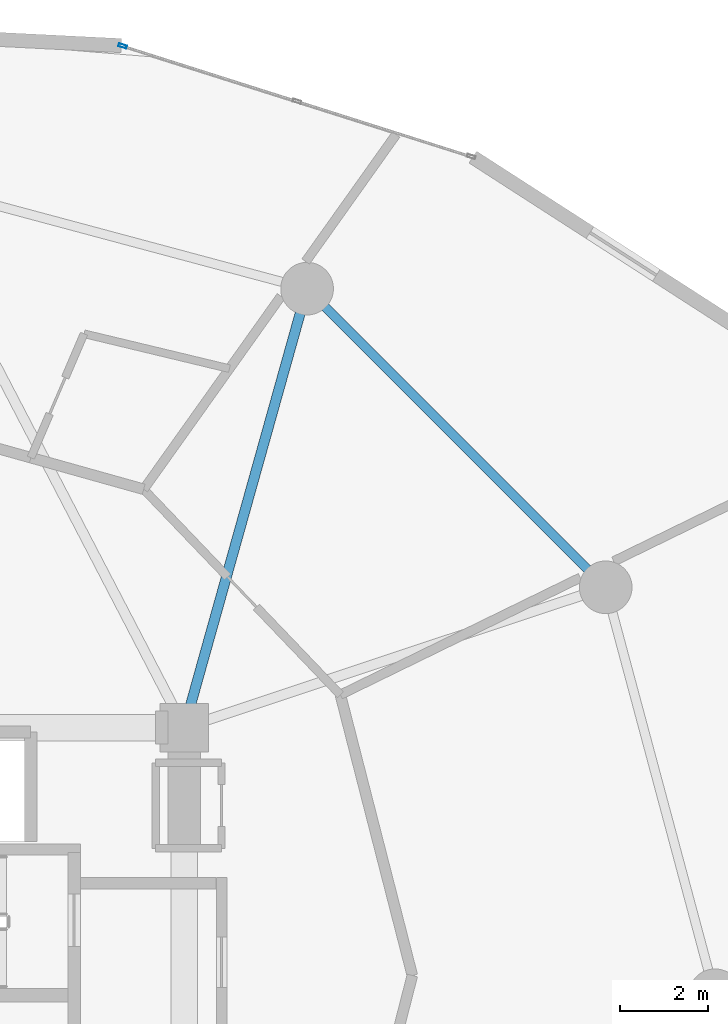
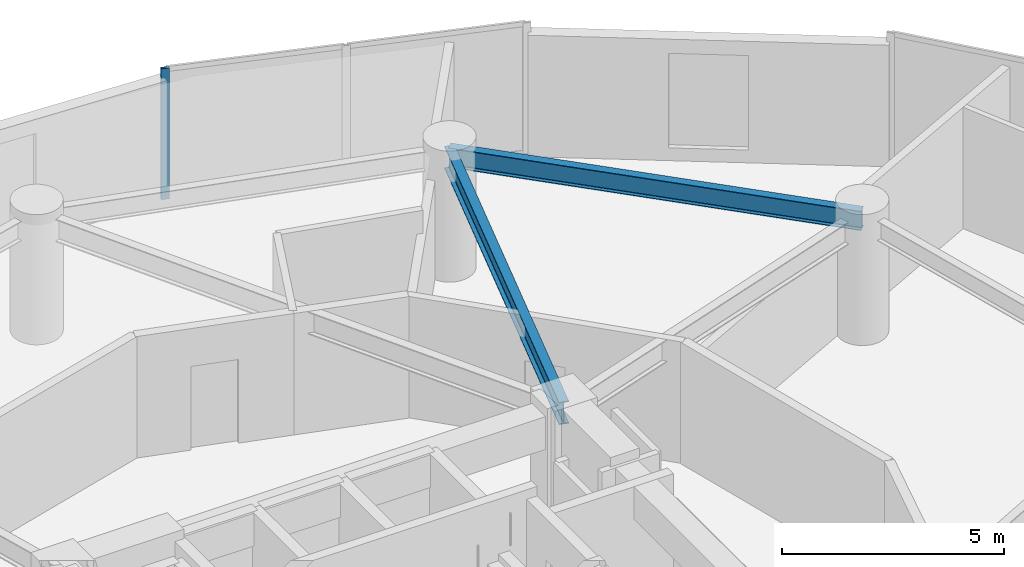
# One storey, part 13 of 23: 2 beams, 1 member, 1 element without a shape of its own.
"""IFC4 building model written with IfcOpenShell, lengths in metres."""

from ifc_helpers import new_model, si_unit, direction, frame, origin, origin_2d, place, context, subcontext, project, spatial, hollow_rectangle, i_section, extrude, source, transform, mapped, material, layer, layer_set, material_profile, profile_set, type_object, element, aggregate, save


model = new_model("IFC4")

# Units and contexts
model_context = context("Model", 3, precision=1e-05, world=origin(), true_north=direction((0.0, 1.0)))
body_context = subcontext(model_context, "Body", "Model", "MODEL_VIEW")
ifc_project = project(units=[si_unit("LENGTHUNIT", "METRE"), si_unit("AREAUNIT", "SQUARE_METRE"), si_unit("VOLUMEUNIT", "CUBIC_METRE"), si_unit("PLANEANGLEUNIT", "RADIAN"), si_unit("MASSUNIT", "GRAM", prefix="KILO")], contexts=[model_context])

# Site, building, storey
site_placement = place(None, origin())
site = spatial("IfcSite", under=ifc_project, at=site_placement, CompositionType="ELEMENT")
building_placement = place(site_placement, origin())
building = spatial("IfcBuilding", under=site, at=building_placement, Name="Solvirekh Grand Hotel", CompositionType="ELEMENT")
storey_placement = place(building_placement, frame((0.0, 0.0, 46.39990234375)))
storey = spatial("IfcBuildingStorey", under=building, at=storey_placement, Name="L10", CompositionType="ELEMENT", Elevation=46.39990234375)

# Beams
ifc_material_1 = material(Name="Steel S355", Category="steel")
ifc_material_profile_1 = material_profile(ifc_material_1, i_section(OverallWidth=0.22998046875, OverallDepth=0.615966796875, WebThickness=0.013916015625, FlangeThickness=0.02392578125, FilletRadius=0.014892578125, at=origin_2d()), Name="W610X174")
ifc_profile_set_1 = profile_set([ifc_material_profile_1], Name="Steel S355")
beam_type_1 = type_object("IfcBeamType", Name="Beam_Primary_W610H", PredefinedType="BEAM", material=ifc_profile_set_1)
beam_1_placement = place(storey_placement, frame((6.5, 6.10009765625, 3.031982421875), z_axis=(0.269439084681, 0.963017434757, 0.0), x_axis=(-0.963017434757, 0.269439084681, 0.0)))
element("IfcBeam", 1, at=beam_1_placement, inside=storey, type_object=beam_type_1, Name="L10 radial floor beam R03", PredefinedType="BEAM", context=body_context, shape_type="SweptSolid", body=[
    extrude(i_section(OverallWidth=0.22998046875, OverallDepth=0.615966796875, WebThickness=0.013916015625, FlangeThickness=0.02392578125, FilletRadius=0.014892578125, at=origin_2d()), origin(), (0.0, 0.0, 1.0), 10.39208984375),
])
ifc_material_profile_2 = material_profile(ifc_material_1, i_section(OverallWidth=0.208984375, OverallDepth=0.532958984375, WebThickness=0.010009765625, FlangeThickness=0.014892578125, FilletRadius=0.013916015625, at=origin_2d()), Name="W530X92")
ifc_profile_set_2 = profile_set([ifc_material_profile_2], Name="Steel S355")
beam_type_2 = type_object("IfcBeamType", Name="Spandrel_Ring_W530", PredefinedType="SPANDREL", material=ifc_profile_set_2)
beam_2_placement = place(storey_placement, frame((16.10791015625, 9.300048828125, 3.07421875), z_axis=(-0.707106781187, 0.707106781187, 0.0), x_axis=(-0.707106781187, -0.707106781187, 0.0)))
element("IfcBeam", 2, at=beam_2_placement, inside=storey, type_object=beam_type_2, Name="L10 perimeter spandrel beam 2", PredefinedType="SPANDREL", context=body_context, shape_type="SweptSolid", body=[
    extrude(i_section(OverallWidth=0.208984375, OverallDepth=0.532958984375, WebThickness=0.010009765625, FlangeThickness=0.014892578125, FilletRadius=0.013916015625, at=origin_2d()), origin(), (0.0, 0.0, 1.0), 9.627685546875),
])

# Curtain wall, member
ifc_material_2 = material(Name="Anodized Bronze Aluminium 6063-T6", Category="aluminium")
ifc_layer = layer(ifc_material_2, 0.18994140625)
ifc_layer_set = layer_set([ifc_layer], Name="Anodized Bronze Aluminium 6063-T6")
curtain_wall_type = type_object("IfcCurtainWallType", Name="CW_Sys2_LowZoneFlushBronzeCW", PredefinedType="NOTDEFINED", material=ifc_layer_set)
curtain_wall_placement = place(storey_placement, origin())
curtain_wall = element("IfcCurtainWall", 3, at=curtain_wall_placement, inside=storey, type_object=curtain_wall_type, Name="L10 unitised bronze-glass curtain wall CW-L10-C05", PredefinedType="NOTDEFINED")
ifc_material_profile_3 = material_profile(ifc_material_2, hollow_rectangle(XDim=0.070068359375, YDim=0.18994140625, WallThickness=0.0048828125, at=origin_2d()), Name="ALU RHS 190X70X5")
ifc_profile_set_3 = profile_set([ifc_material_profile_3], Name="Anodized Bronze Aluminium 6063-T6")
member_type = type_object("IfcMemberType", Name="CWMullion_Sys2", PredefinedType="MULLION", material=ifc_profile_set_3)
shared_shape = source(origin(), body_context, "Body", "SweptSolid", [
    extrude(hollow_rectangle(XDim=0.070068359375, YDim=0.18994140625, WallThickness=0.0048828125, at=origin_2d()), origin(), (0.0, 0.0, 1.0), 3.60009765625),
])
member_placement = place(storey_placement, frame((5.094482421875, 21.639404296875, 0.0), z_axis=(0.0, 0.0, 1.0), x_axis=(-0.30228601104, -0.953217271942, 0.0)))
member = element("IfcMember", 4, at=member_placement, type_object=member_type, Name="U02 mullion 3", PredefinedType="MULLION", context=body_context, shape_type="MappedRepresentation", body=[
    mapped(shared_shape, transform((0.0, 0.0, 0.0), x_axis=(1.0, 0.0, 0.0), y_axis=(0.0, 1.0, 0.0), z_axis=(0.0, 0.0, 1.0), scale=1.0)),
])
aggregate(curtain_wall, [member])

save(model, "model.ifc")
